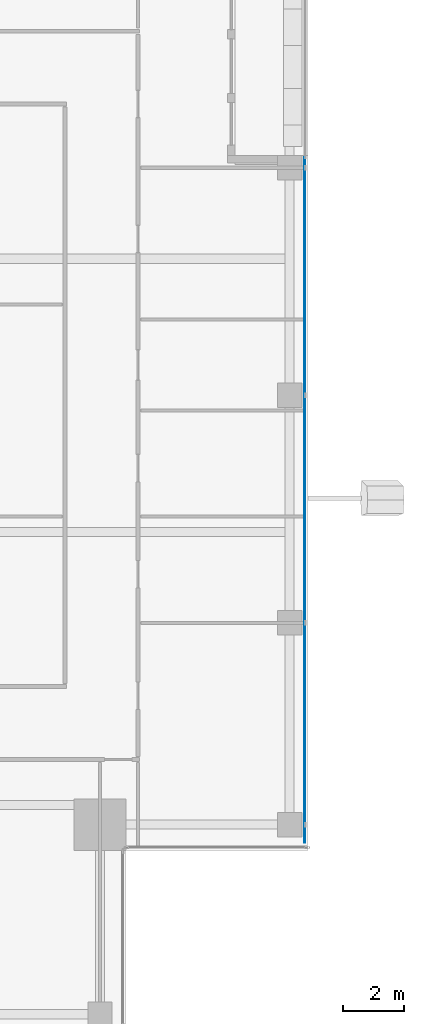
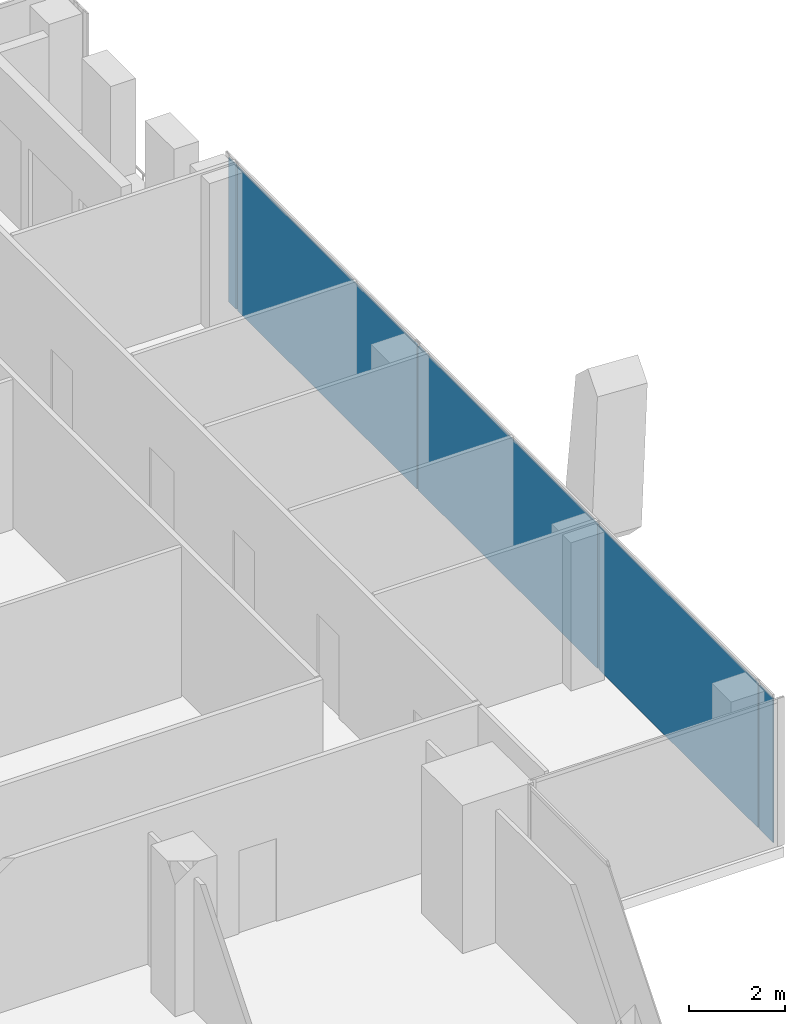
# One storey, part 20 of 28: 5 plates, 1 element without a shape of its own.
"""IFC4 building model written with IfcOpenShell, lengths in metres."""

from ifc_helpers import new_model, si_unit, direction, frame, origin, origin_2d, place, context, subcontext, project, spatial, rectangle, extrude, source, transform, mapped, material, layer, layer_set, type_object, element, aggregate, save


model = new_model("IFC4")

# Units and contexts
model_context = context("Model", 3, precision=1e-05, world=origin(), true_north=direction((0.0, 1.0)))
body_context = subcontext(model_context, "Body", "Model", "MODEL_VIEW")
ifc_project = project(units=[si_unit("LENGTHUNIT", "METRE"), si_unit("AREAUNIT", "SQUARE_METRE"), si_unit("VOLUMEUNIT", "CUBIC_METRE"), si_unit("PLANEANGLEUNIT", "RADIAN"), si_unit("MASSUNIT", "GRAM", prefix="KILO")], contexts=[model_context])

# Site, building, storey
site_placement = place(None, origin())
site = spatial("IfcSite", under=ifc_project, at=site_placement, CompositionType="ELEMENT")
building_placement = place(site_placement, origin())
building = spatial("IfcBuilding", under=site, at=building_placement, Name="Khomas Fold Tower", CompositionType="ELEMENT")
storey_placement = place(building_placement, frame((0.0, 0.0, 298.199951171875)))
storey = spatial("IfcBuildingStorey", under=building, at=storey_placement, Name="L67", CompositionType="ELEMENT", Elevation=298.199951171875)

# Curtain wall, plates
ifc_material_1 = material(Name="Aluminium framed double glazing", Category="aluminium")
curtain_wall_type = type_object("IfcCurtainWallType", Name="SK-Unitised clear-glass wall, upper floors CW3", PredefinedType="NOTDEFINED", material=ifc_material_1)
curtain_wall_placement = place(storey_placement, origin())
curtain_wall = element("IfcCurtainWall", 1, at=curtain_wall_placement, inside=storey, type_object=curtain_wall_type, Name="CW3 run L67 03-0", PredefinedType="NOTDEFINED")
ifc_material_2 = material(Name="Clear double glazed unit")
ifc_layer = layer(ifc_material_2, 0.028076171875)
ifc_layer_set = layer_set([ifc_layer], Name="Clear double glazed unit")
plate_type = type_object("IfcPlateType", Name="SK-Unitised clear-glass wall, upper floors glass panel CW3-P", PredefinedType="CURTAIN_PANEL", material=ifc_layer_set)
shared_shape_1 = source(origin(), body_context, "Body", "SweptSolid", [
    extrude(rectangle(XDim=0.574951171875, YDim=0.028076171875, at=origin_2d()), origin(), (0.0, 0.0, 1.0), 3.64990234375),
])
plate_1_placement = place(storey_placement, frame((47.89990234375, 12.53759765625, 0.0), z_axis=(0.0, 0.0, 1.0), x_axis=(0.0, 1.0, 0.0)))
plate_1 = element("IfcPlate", 2, at=plate_1_placement, type_object=plate_type, Name="CW3 glass panel 1", PredefinedType="CURTAIN_PANEL", context=body_context, shape_type="MappedRepresentation", body=[
    mapped(shared_shape_1, transform((0.0, 0.0, 0.0))),
])
shared_shape_2 = source(origin(), body_context, "Body", "SweptSolid", [
    extrude(rectangle(XDim=6.60009765625, YDim=0.028076171875, at=origin_2d()), origin(), (0.0, 0.0, 1.0), 3.64990234375),
])
plate_2_placement = place(storey_placement, frame((47.89990234375, 16.175048828125, 0.0), z_axis=(0.0, 0.0, 1.0), x_axis=(0.0, 1.0, 0.0)))
plate_2 = element("IfcPlate", 3, at=plate_2_placement, type_object=plate_type, Name="CW3 glass panel 2", PredefinedType="CURTAIN_PANEL", context=body_context, shape_type="MappedRepresentation", body=[
    mapped(shared_shape_2, transform((0.0, 0.0, 0.0))),
])
shared_shape_3 = source(origin(), body_context, "Body", "SweptSolid", [
    extrude(rectangle(XDim=7.449951171875, YDim=0.028076171875, at=origin_2d()), origin(), (0.0, 0.0, 1.0), 3.64990234375),
])
plate_3_placement = place(storey_placement, frame((47.89990234375, 23.25, 0.0), z_axis=(0.0, 0.0, 1.0), x_axis=(0.0, 1.0, 0.0)))
plate_3 = element("IfcPlate", 4, at=plate_3_placement, type_object=plate_type, Name="CW3 glass panel 3", PredefinedType="CURTAIN_PANEL", context=body_context, shape_type="MappedRepresentation", body=[
    mapped(shared_shape_3, transform((0.0, 0.0, 0.0))),
])
plate_4_placement = place(storey_placement, frame((47.89990234375, 30.75, 0.0), z_axis=(0.0, 0.0, 1.0), x_axis=(0.0, 1.0, 0.0)))
plate_4 = element("IfcPlate", 5, at=plate_4_placement, type_object=plate_type, Name="CW3 glass panel 4", PredefinedType="CURTAIN_PANEL", context=body_context, shape_type="MappedRepresentation", body=[
    mapped(shared_shape_3, transform((0.0, 0.0, 0.0))),
])
shared_shape_4 = source(origin(), body_context, "Body", "SweptSolid", [
    extrude(rectangle(XDim=0.324951171875, YDim=0.028076171875, at=origin_2d()), origin(), (0.0, 0.0, 1.0), 3.64990234375),
])
plate_5_placement = place(storey_placement, frame((47.89990234375, 34.6875, 0.0), z_axis=(0.0, 0.0, 1.0), x_axis=(0.0, 1.0, 0.0)))
plate_5 = element("IfcPlate", 6, at=plate_5_placement, type_object=plate_type, Name="CW3 glass panel 5", PredefinedType="CURTAIN_PANEL", context=body_context, shape_type="MappedRepresentation", body=[
    mapped(shared_shape_4, transform((0.0, 0.0, 0.0))),
])
aggregate(curtain_wall, [plate_1, plate_2, plate_3, plate_4, plate_5])

save(model, "model.ifc")
